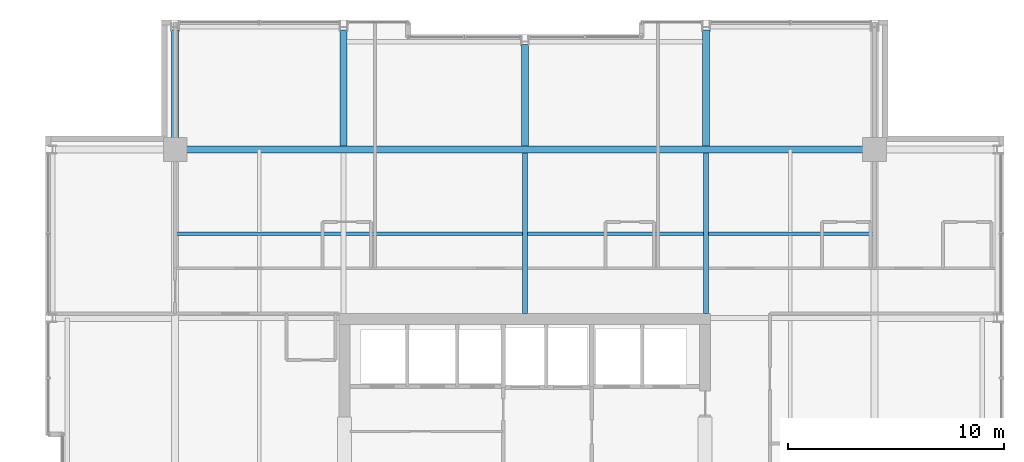
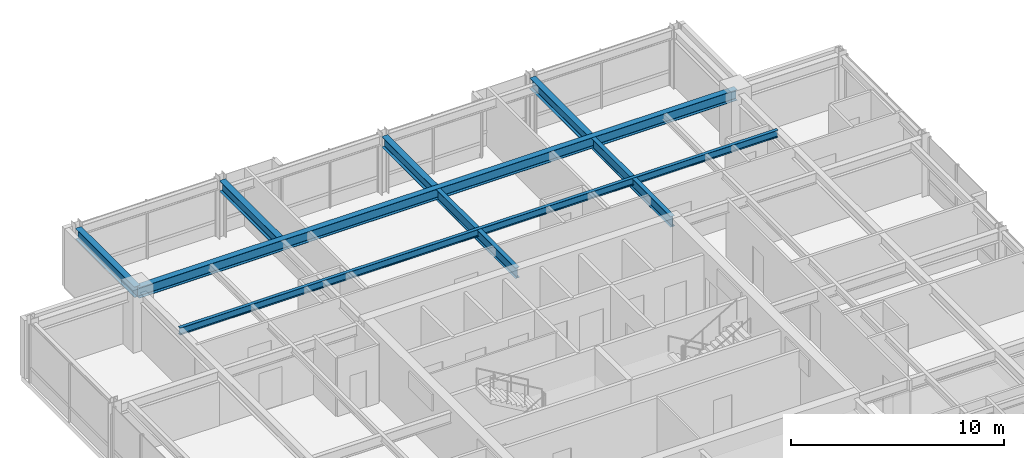
# One storey, part 19 of 32: 8 beams.
"""IFC4 building model written with IfcOpenShell, lengths in metres."""

from ifc_helpers import new_model, si_unit, direction, frame, origin, origin_2d, place, context, subcontext, project, spatial, i_section, extrude, material, material_profile, profile_set, type_object, element, save


model = new_model("IFC4")

# Units and contexts
model_context = context("Model", 3, precision=1e-05, world=origin(), true_north=direction((0.0, 1.0)))
body_context = subcontext(model_context, "Body", "Model", "MODEL_VIEW")
ifc_project = project(units=[si_unit("LENGTHUNIT", "METRE"), si_unit("AREAUNIT", "SQUARE_METRE"), si_unit("VOLUMEUNIT", "CUBIC_METRE"), si_unit("PLANEANGLEUNIT", "RADIAN"), si_unit("MASSUNIT", "GRAM", prefix="KILO")], contexts=[model_context])

# Site, building, storey
site_placement = place(None, origin())
site = spatial("IfcSite", under=ifc_project, at=site_placement, CompositionType="ELEMENT")
building_placement = place(site_placement, origin())
building = spatial("IfcBuilding", under=site, at=building_placement, Name="Drelvath Grand Hotel", CompositionType="ELEMENT")
storey_placement = place(building_placement, frame((0.0, 0.0, 226.699951171875)))
storey = spatial("IfcBuildingStorey", under=building, at=storey_placement, Name="L59", CompositionType="ELEMENT", Elevation=226.699951171875)

# Beams
ifc_material = material(Name="Steel ASTM A992 Gr 50", Category="steel")
ifc_material_profile_1 = material_profile(ifc_material, i_section(OverallWidth=0.177734375, OverallDepth=0.40673828125, WebThickness=0.0078125, FlangeThickness=0.0126953125, FilletRadius=0.014892578125, at=origin_2d()), Name="W16X40")
ifc_profile_set_1 = profile_set([ifc_material_profile_1], Name="Steel ASTM A992 Gr 50")
beam_type_1 = type_object("IfcBeamType", Name="Composite Floor Joist W16X40", PredefinedType="JOIST", material=ifc_profile_set_1)
beam_1_placement = place(storey_placement, frame((-16.199951171875, 39.300048828125, 3.13671875), z_axis=(1.0, 0.0, 0.0), x_axis=(0.0, 1.0, 0.0)))
element("IfcBeam", 1, at=beam_1_placement, inside=storey, type_object=beam_type_1, Name="L59 Floor Joist J2", PredefinedType="JOIST", context=body_context, shape_type="SweptSolid", body=[
    extrude(i_section(OverallWidth=0.177734375, OverallDepth=0.40673828125, WebThickness=0.0078125, FlangeThickness=0.0126953125, FilletRadius=0.014892578125, at=origin_2d()), origin(), (0.0, 0.0, 1.0), 32.39990234375),
])
ifc_material_profile_2 = material_profile(ifc_material, i_section(OverallWidth=0.323974609375, OverallDepth=0.611083984375, WebThickness=0.0126953125, FlangeThickness=0.01904296875, FilletRadius=0.02197265625, at=origin_2d()), Name="W24X104")
ifc_profile_set_2 = profile_set([ifc_material_profile_2], Name="Steel ASTM A992 Gr 50")
beam_type_2 = type_object("IfcBeamType", Name="Primary Floor Girder W24X104", PredefinedType="BEAM", material=ifc_profile_set_2)
beam_2_placement = place(storey_placement, frame((-16.199951171875, 43.199951171875, 3.034423828125), z_axis=(1.0, 0.0, 0.0), x_axis=(0.0, 1.0, 0.0)))
element("IfcBeam", 2, at=beam_2_placement, inside=storey, type_object=beam_type_2, Name="L59 Mega Ring Girder North", PredefinedType="BEAM", context=body_context, shape_type="SweptSolid", body=[
    extrude(i_section(OverallWidth=0.323974609375, OverallDepth=0.611083984375, WebThickness=0.0126953125, FlangeThickness=0.01904296875, FilletRadius=0.02197265625, at=origin_2d()), origin(), (0.0, 0.0, 1.0), 32.39990234375),
])
beam_3_placement = place(storey_placement, frame((-16.199951171875, 43.199951171875, 3.034423828125), z_axis=(0.0, 1.0, 0.0), x_axis=(-1.0, 0.0, 0.0)))
element("IfcBeam", 3, at=beam_3_placement, inside=storey, type_object=beam_type_2, Name="L59 North Grid Girder 3", PredefinedType="BEAM", context=body_context, shape_type="SweptSolid", body=[
    extrude(i_section(OverallWidth=0.323974609375, OverallDepth=0.611083984375, WebThickness=0.0126953125, FlangeThickness=0.01904296875, FilletRadius=0.02197265625, at=origin_2d()), origin(), (0.0, 0.0, 1.0), 5.5400390625),
])
beam_4_placement = place(storey_placement, frame((-8.39990234375, 43.362060546875, 3.034423828125), z_axis=(0.0, 1.0, 0.0), x_axis=(-1.0, 0.0, 0.0)))
element("IfcBeam", 4, at=beam_4_placement, inside=storey, type_object=beam_type_2, Name="L59 North Wing Girder 4", PredefinedType="BEAM", context=body_context, shape_type="SweptSolid", body=[
    extrude(i_section(OverallWidth=0.323974609375, OverallDepth=0.611083984375, WebThickness=0.0126953125, FlangeThickness=0.01904296875, FilletRadius=0.02197265625, at=origin_2d()), origin(), (0.0, 0.0, 1.0), 5.3779296875),
])
beam_5_placement = place(storey_placement, frame((0.0, 43.362060546875, 3.034423828125), z_axis=(0.0, 1.0, 0.0), x_axis=(-1.0, 0.0, 0.0)))
element("IfcBeam", 5, at=beam_5_placement, inside=storey, type_object=beam_type_2, Name="L59 North Wing Girder 5", PredefinedType="BEAM", context=body_context, shape_type="SweptSolid", body=[
    extrude(i_section(OverallWidth=0.323974609375, OverallDepth=0.611083984375, WebThickness=0.0126953125, FlangeThickness=0.01904296875, FilletRadius=0.02197265625, at=origin_2d()), origin(), (0.0, 0.0, 1.0), 4.697998046875),
])
beam_6_placement = place(storey_placement, frame((8.39990234375, 43.362060546875, 3.034423828125), z_axis=(0.0, 1.0, 0.0), x_axis=(-1.0, 0.0, 0.0)))
element("IfcBeam", 6, at=beam_6_placement, inside=storey, type_object=beam_type_2, Name="L59 North Wing Girder 6", PredefinedType="BEAM", context=body_context, shape_type="SweptSolid", body=[
    extrude(i_section(OverallWidth=0.323974609375, OverallDepth=0.611083984375, WebThickness=0.0126953125, FlangeThickness=0.01904296875, FilletRadius=0.02197265625, at=origin_2d()), origin(), (0.0, 0.0, 1.0), 5.3779296875),
])
ifc_material_profile_3 = material_profile(ifc_material, i_section(OverallWidth=0.228271484375, OverallDepth=0.607666015625, WebThickness=0.01123046875, FlangeThickness=0.017333984375, FilletRadius=0.02001953125, at=origin_2d()), Name="W24X76")
ifc_profile_set_3 = profile_set([ifc_material_profile_3], Name="Steel ASTM A992 Gr 50")
beam_type_3 = type_object("IfcBeamType", Name="Primary Floor Girder W24X76", PredefinedType="BEAM", material=ifc_profile_set_3)
for number, where, z_axis, x_axis, name in (
    (7, (0.0, 35.60009765625, 3.0361328125), (0.0, 1.0, 0.0), (-1.0, 0.0, 0.0), "L59 North Core Tie 5"),
    (8, (8.39990234375, 35.60009765625, 3.0361328125), (0.0, 1.0, 0.0), (-1.0, 0.0, 0.0), "L59 North Core Tie 6"),
):
    element("IfcBeam", number, at=place(storey_placement, frame(where, z_axis=z_axis, x_axis=x_axis)), inside=storey, type_object=beam_type_3, Name=name, PredefinedType="BEAM", context=body_context, shape_type="SweptSolid", body=[
        extrude(i_section(OverallWidth=0.228271484375, OverallDepth=0.607666015625, WebThickness=0.01123046875, FlangeThickness=0.017333984375, FilletRadius=0.02001953125, at=origin_2d()), origin(), (0.0, 0.0, 1.0), 7.43798828125),
    ])

save(model, "model.ifc")
